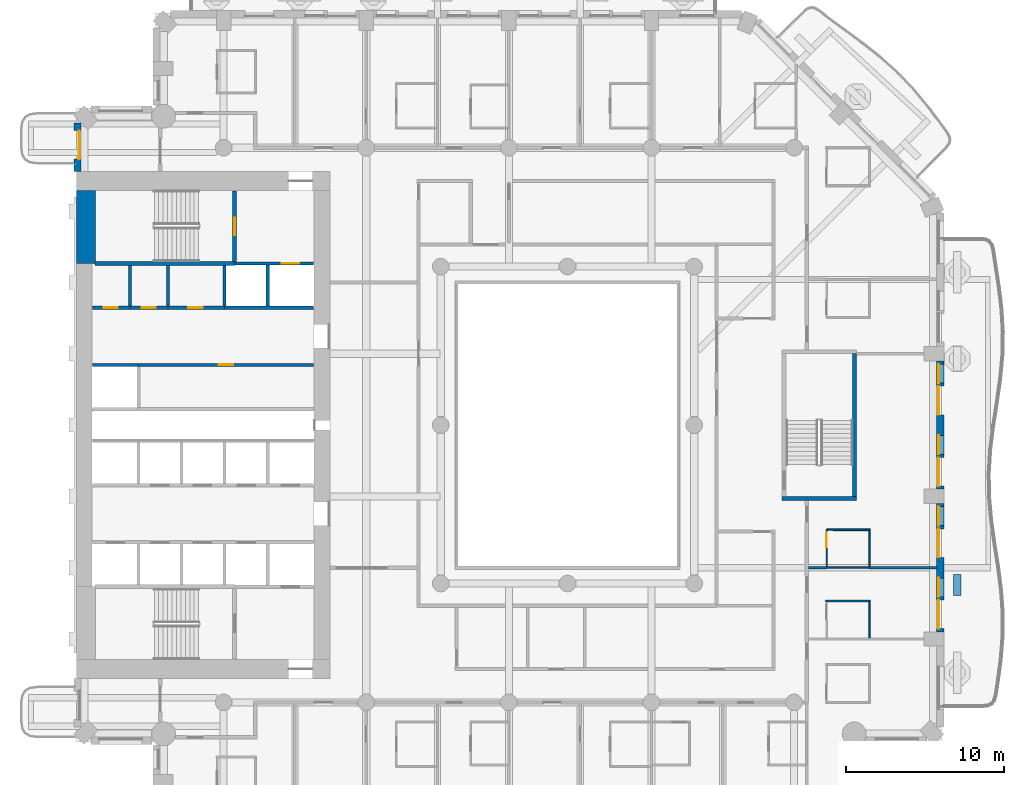
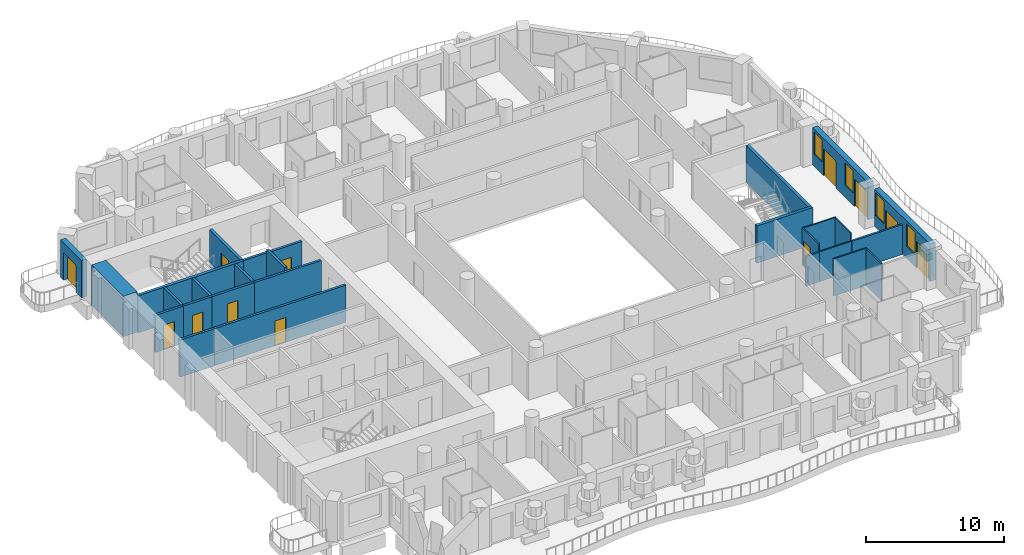
# One storey, part 7 of 20: 28 walls, 12 doors, 4 windows, 16 openings.
"""IFC4 building model written with IfcOpenShell, lengths in metres."""

from ifc_helpers import new_model, si_unit, direction, frame, frame_2d, origin, place, context, subcontext, project, spatial, rectangle, extrude, material, layer, layer_set, type_object, element, fill, save


model = new_model("IFC4")

# Units and contexts
model_context = context("Model", 3, precision=1e-05, world=origin(), true_north=direction((0.0, 1.0)))
body_context = subcontext(model_context, "Body", "Model", "MODEL_VIEW")
ifc_project = project(units=[si_unit("LENGTHUNIT", "METRE"), si_unit("AREAUNIT", "SQUARE_METRE"), si_unit("VOLUMEUNIT", "CUBIC_METRE"), si_unit("PLANEANGLEUNIT", "RADIAN"), si_unit("MASSUNIT", "GRAM", prefix="KILO")], contexts=[model_context])

# Site, building, storey
site_placement = place(None, origin())
site = spatial("IfcSite", under=ifc_project, at=site_placement, CompositionType="ELEMENT")
building_placement = place(site_placement, origin())
building = spatial("IfcBuilding", under=site, at=building_placement, Name="Cypress Arch Tower", CompositionType="ELEMENT")
storey_placement = place(building_placement, frame((0.0, 0.0, 113.10009765625)))
storey = spatial("IfcBuildingStorey", under=building, at=storey_placement, Name="L23", CompositionType="ELEMENT", Elevation=113.10009765625)

# Wall
ifc_material_1 = material(Name="Concrete C40/50, waterproofed", Category="concrete")
ifc_layer_1 = layer(ifc_material_1, 0.449951171875)
ifc_layer_set_1 = layer_set([ifc_layer_1], Name="Balcony planter wall PW450")
wall_type_1 = type_object("IfcWallType", Name="Balcony planter wall PW450", PredefinedType="SOLIDWALL", material=ifc_layer_set_1)
wall_1_placement = place(storey_placement, frame((25.60009765625, -10.75, 0.0), z_axis=(0.0, 0.0, 1.0), x_axis=(0.0, 1.0, 0.0)))
element("IfcWall", 1, at=wall_1_placement, inside=storey, type_object=wall_type_1, Name="Balcony planter wall L23-A06.2", PredefinedType="SOLIDWALL", context=body_context, shape_type="SweptSolid", body=[
    extrude(rectangle(XDim=1.32861328125, YDim=0.449951171875, at=frame_2d((0.664306640625, 0.0))), origin(), (0.0, 0.0, 1.0), 0.599853515625),
])

# Wall, opening, door
ifc_material_2 = material(Name="Brick (red buff blend)", Category="masonry")
ifc_layer_2 = layer(ifc_material_2, 0.449951171875)
ifc_layer_set_2 = layer_set([ifc_layer_2], Name="Brick pier and spandrel wall BW450")
wall_type_2 = type_object("IfcWallType", Name="Brick pier and spandrel wall BW450", PredefinedType="SOLIDWALL", material=ifc_layer_set_2)
wall_2_placement = place(storey_placement, frame((-29.925048828125, 19.063720703125, 0.0), z_axis=(0.0, 0.0, 1.0), x_axis=(0.0, -1.0, 0.0)))
wall_2 = element("IfcWall", 2, at=wall_2_placement, inside=storey, type_object=wall_type_2, Name="Brick wall L23 A00.0", PredefinedType="SOLIDWALL", context=body_context, shape_type="SweptSolid", body=[
    extrude(rectangle(XDim=3.063720703125, YDim=0.449951171875, at=frame_2d((1.53173828125, 0.0))), origin(), (0.0, 0.0, 1.0), 3.2998046875),
])
opening_1_placement = place(wall_2_placement, frame((0.481689453125, 0.0, 0.0)))
opening_1 = element("IfcOpeningElement", 3, at=opening_1_placement, cuts=wall_2, Name="Opening D-L23-A00.0.1", PredefinedType="OPENING", context=body_context, shape_type="SweptSolid", body=[
    extrude(rectangle(XDim=1.800048828125, YDim=2.39990234375, at=frame_2d((0.89990234375, 1.199951171875))), frame((0.0, 0.23486328125, 0.0), z_axis=(0.0, -1.0, 0.0), x_axis=(1.0, 0.0, 0.0)), (0.0, 0.0, 1.0), 0.469970703125),
])
ifc_material_3 = material(Name="Anodised aluminium, bronze finish, laminated low-emissivity double glazing, large-missile impact rated", Category="aluminium")
door_type_1 = type_object("IfcDoorType", Name="Balcony sliding door 1800x2400", OperationType="SLIDING_TO_LEFT", PredefinedType="DOOR", material=ifc_material_3)
door_1_placement = place(opening_1_placement, origin())
door_1 = element("IfcDoor", 4, at=door_1_placement, inside=storey, type_object=door_type_1, Name="Balcony door L23 A00.0.1", OperationType="SLIDING_TO_LEFT", OverallHeight=2.39990234375, OverallWidth=1.800048828125, PredefinedType="DOOR", context=body_context, shape_type="SweptSolid", body=[
    extrude(rectangle(XDim=1.800048828125, YDim=2.39990234375, at=frame_2d((0.89990234375, 1.199951171875))), frame((0.0, 0.1298828125, 0.0), z_axis=(0.0, -1.0, 0.0), x_axis=(1.0, 0.0, 0.0)), (0.0, 0.0, 1.0), 0.050048828125),
])
fill(opening_1, door_1)

# Wall, openings, doors, windows
wall_3_placement = place(storey_placement, frame((24.52490234375, -13.050048828125, 0.0), z_axis=(0.0, 0.0, 1.0), x_axis=(0.0, 1.0, 0.0)))
wall_3 = element("IfcWall", 5, at=wall_3_placement, inside=storey, type_object=wall_type_2, Name="Brick wall L23 A06.1", PredefinedType="SOLIDWALL", context=body_context, shape_type="SweptSolid", body=[
    extrude(rectangle(XDim=8.10009765625, YDim=0.449951171875, at=frame_2d((4.050048828125, 0.0))), origin(), (0.0, 0.0, 1.0), 3.2998046875),
])
opening_2_placement = place(wall_3_placement, frame((0.199951171875, 0.0, 0.0)))
opening_2 = element("IfcOpeningElement", 6, at=opening_2_placement, cuts=wall_3, Name="Opening D-L23-A06.1.1", PredefinedType="OPENING", context=body_context, shape_type="SweptSolid", body=[
    extrude(rectangle(XDim=1.800048828125, YDim=2.39990234375, at=frame_2d((0.89990234375, 1.199951171875))), frame((0.0, 0.23486328125, 0.0), z_axis=(0.0, -1.0, 0.0), x_axis=(1.0, 0.0, 0.0)), (0.0, 0.0, 1.0), 0.469970703125),
])
opening_3_placement = place(wall_3_placement, frame((2.199951171875, 0.0, 1.050048828125)))
opening_3 = element("IfcOpeningElement", 7, at=opening_3_placement, cuts=wall_3, Name="Opening W120HD", PredefinedType="OPENING", context=body_context, shape_type="SweptSolid", body=[
    extrude(rectangle(XDim=1.199951171875, YDim=2.0, at=frame_2d((0.60009765625, 1.0))), frame((0.0, 0.23486328125, 0.0), z_axis=(0.0, -1.0, 0.0), x_axis=(1.0, 0.0, 0.0)), (0.0, 0.0, 1.0), 0.469970703125),
])
opening_4_placement = place(wall_3_placement, frame((4.699951171875, 0.0, 0.0)))
opening_4 = element("IfcOpeningElement", 8, at=opening_4_placement, cuts=wall_3, Name="Opening D-L23-A06.1.2", PredefinedType="OPENING", context=body_context, shape_type="SweptSolid", body=[
    extrude(rectangle(XDim=1.800048828125, YDim=2.39990234375, at=frame_2d((0.89990234375, 1.199951171875))), frame((0.0, 0.23486328125, 0.0), z_axis=(0.0, -1.0, 0.0), x_axis=(1.0, 0.0, 0.0)), (0.0, 0.0, 1.0), 0.469970703125),
])
opening_5_placement = place(wall_3_placement, frame((6.699951171875, 0.0, 1.050048828125)))
opening_5 = element("IfcOpeningElement", 9, at=opening_5_placement, cuts=wall_3, Name="Opening W120HD", PredefinedType="OPENING", context=body_context, shape_type="SweptSolid", body=[
    extrude(rectangle(XDim=1.199951171875, YDim=2.0, at=frame_2d((0.60009765625, 1.0))), frame((0.0, 0.23486328125, 0.0), z_axis=(0.0, -1.0, 0.0), x_axis=(1.0, 0.0, 0.0)), (0.0, 0.0, 1.0), 0.469970703125),
])
door_2_placement = place(opening_2_placement, origin())
door_2 = element("IfcDoor", 10, at=door_2_placement, inside=storey, type_object=door_type_1, Name="Balcony door L23 A06.1.1", OperationType="SLIDING_TO_LEFT", OverallHeight=2.39990234375, OverallWidth=1.800048828125, PredefinedType="DOOR", context=body_context, shape_type="SweptSolid", body=[
    extrude(rectangle(XDim=1.800048828125, YDim=2.39990234375, at=frame_2d((0.89990234375, 1.199951171875))), frame((0.0, 0.1298828125, 0.0), z_axis=(0.0, -1.0, 0.0), x_axis=(1.0, 0.0, 0.0)), (0.0, 0.0, 1.0), 0.050048828125),
])
fill(opening_2, door_2)
door_3_placement = place(opening_4_placement, origin())
door_3 = element("IfcDoor", 11, at=door_3_placement, inside=storey, type_object=door_type_1, Name="Balcony door L23 A06.1.2", OperationType="SLIDING_TO_LEFT", OverallHeight=2.39990234375, OverallWidth=1.800048828125, PredefinedType="DOOR", context=body_context, shape_type="SweptSolid", body=[
    extrude(rectangle(XDim=1.800048828125, YDim=2.39990234375, at=frame_2d((0.89990234375, 1.199951171875))), frame((0.0, 0.1298828125, 0.0), z_axis=(0.0, -1.0, 0.0), x_axis=(1.0, 0.0, 0.0)), (0.0, 0.0, 1.0), 0.050048828125),
])
fill(opening_4, door_3)
ifc_material_4 = material(Name="Anodised aluminium, bronze finish, laminated low-emissivity double glazing, large-missile impact rated", Category="aluminium")
window_type = type_object("IfcWindowType", Name="Window Hotel 1200x2000 debris-rated", PartitioningType="SINGLE_PANEL", PredefinedType="WINDOW", material=ifc_material_4)
window_1_placement = place(opening_3_placement, origin())
window_1 = element("IfcWindow", 12, at=window_1_placement, inside=storey, type_object=window_type, Name="Window L23 A06.1.1", OverallHeight=2.0, OverallWidth=1.199951171875, PartitioningType="SINGLE_PANEL", PredefinedType="WINDOW", context=body_context, shape_type="SweptSolid", body=[
    extrude(rectangle(XDim=1.199951171875, YDim=2.0, at=frame_2d((0.60009765625, 1.0))), frame((0.0, 0.135009765625, 0.0), z_axis=(0.0, -1.0, 0.0), x_axis=(1.0, 0.0, 0.0)), (0.0, 0.0, 1.0), 0.06005859375),
])
fill(opening_3, window_1)
window_2_placement = place(opening_5_placement, origin())
window_2 = element("IfcWindow", 13, at=window_2_placement, inside=storey, type_object=window_type, Name="Window L23 A06.1.2", OverallHeight=2.0, OverallWidth=1.199951171875, PartitioningType="SINGLE_PANEL", PredefinedType="WINDOW", context=body_context, shape_type="SweptSolid", body=[
    extrude(rectangle(XDim=1.199951171875, YDim=2.0, at=frame_2d((0.60009765625, 1.0))), frame((0.0, 0.135009765625, 0.0), z_axis=(0.0, -1.0, 0.0), x_axis=(1.0, 0.0, 0.0)), (0.0, 0.0, 1.0), 0.06005859375),
])
fill(opening_5, window_2)

wall_4_placement = place(storey_placement, frame((24.52490234375, -4.050048828125, 0.0), z_axis=(0.0, 0.0, 1.0), x_axis=(0.0, 1.0, 0.0)))
wall_4 = element("IfcWall", 14, at=wall_4_placement, inside=storey, type_object=wall_type_2, Name="Brick wall L23 A06.2", PredefinedType="SOLIDWALL", context=body_context, shape_type="SweptSolid", body=[
    extrude(rectangle(XDim=8.10009765625, YDim=0.449951171875, at=frame_2d((4.050048828125, 0.0))), origin(), (0.0, 0.0, 1.0), 3.2998046875),
])
opening_6_placement = place(wall_4_placement, frame((0.199951171875, 0.0, 0.0)))
opening_6 = element("IfcOpeningElement", 15, at=opening_6_placement, cuts=wall_4, Name="Opening D-L23-A06.2.1", PredefinedType="OPENING", context=body_context, shape_type="SweptSolid", body=[
    extrude(rectangle(XDim=1.800048828125, YDim=2.39990234375, at=frame_2d((0.89990234375, 1.199951171875))), frame((0.0, 0.23486328125, 0.0), z_axis=(0.0, -1.0, 0.0), x_axis=(1.0, 0.0, 0.0)), (0.0, 0.0, 1.0), 0.469970703125),
])
opening_7_placement = place(wall_4_placement, frame((2.199951171875, 0.0, 1.050048828125)))
opening_7 = element("IfcOpeningElement", 16, at=opening_7_placement, cuts=wall_4, Name="Opening W120HD", PredefinedType="OPENING", context=body_context, shape_type="SweptSolid", body=[
    extrude(rectangle(XDim=1.199951171875, YDim=2.0, at=frame_2d((0.60009765625, 1.0))), frame((0.0, 0.23486328125, 0.0), z_axis=(0.0, -1.0, 0.0), x_axis=(1.0, 0.0, 0.0)), (0.0, 0.0, 1.0), 0.469970703125),
])
opening_8_placement = place(wall_4_placement, frame((4.699951171875, 0.0, 0.0)))
opening_8 = element("IfcOpeningElement", 17, at=opening_8_placement, cuts=wall_4, Name="Opening D-L23-A06.2.2", PredefinedType="OPENING", context=body_context, shape_type="SweptSolid", body=[
    extrude(rectangle(XDim=1.800048828125, YDim=2.39990234375, at=frame_2d((0.89990234375, 1.199951171875))), frame((0.0, 0.23486328125, 0.0), z_axis=(0.0, -1.0, 0.0), x_axis=(1.0, 0.0, 0.0)), (0.0, 0.0, 1.0), 0.469970703125),
])
opening_9_placement = place(wall_4_placement, frame((6.699951171875, 0.0, 1.050048828125)))
opening_9 = element("IfcOpeningElement", 18, at=opening_9_placement, cuts=wall_4, Name="Opening W120HD", PredefinedType="OPENING", context=body_context, shape_type="SweptSolid", body=[
    extrude(rectangle(XDim=1.199951171875, YDim=2.0, at=frame_2d((0.60009765625, 1.0))), frame((0.0, 0.23486328125, 0.0), z_axis=(0.0, -1.0, 0.0), x_axis=(1.0, 0.0, 0.0)), (0.0, 0.0, 1.0), 0.469970703125),
])
door_4_placement = place(opening_6_placement, origin())
door_4 = element("IfcDoor", 19, at=door_4_placement, inside=storey, type_object=door_type_1, Name="Balcony door L23 A06.2.1", OperationType="SLIDING_TO_LEFT", OverallHeight=2.39990234375, OverallWidth=1.800048828125, PredefinedType="DOOR", context=body_context, shape_type="SweptSolid", body=[
    extrude(rectangle(XDim=1.800048828125, YDim=2.39990234375, at=frame_2d((0.89990234375, 1.199951171875))), frame((0.0, 0.1298828125, 0.0), z_axis=(0.0, -1.0, 0.0), x_axis=(1.0, 0.0, 0.0)), (0.0, 0.0, 1.0), 0.050048828125),
])
fill(opening_6, door_4)
door_5_placement = place(opening_8_placement, origin())
door_5 = element("IfcDoor", 20, at=door_5_placement, inside=storey, type_object=door_type_1, Name="Balcony door L23 A06.2.2", OperationType="SLIDING_TO_LEFT", OverallHeight=2.39990234375, OverallWidth=1.800048828125, PredefinedType="DOOR", context=body_context, shape_type="SweptSolid", body=[
    extrude(rectangle(XDim=1.800048828125, YDim=2.39990234375, at=frame_2d((0.89990234375, 1.199951171875))), frame((0.0, 0.1298828125, 0.0), z_axis=(0.0, -1.0, 0.0), x_axis=(1.0, 0.0, 0.0)), (0.0, 0.0, 1.0), 0.050048828125),
])
fill(opening_8, door_5)
window_3_placement = place(opening_7_placement, origin())
window_3 = element("IfcWindow", 21, at=window_3_placement, inside=storey, type_object=window_type, Name="Window L23 A06.2.1", OverallHeight=2.0, OverallWidth=1.199951171875, PartitioningType="SINGLE_PANEL", PredefinedType="WINDOW", context=body_context, shape_type="SweptSolid", body=[
    extrude(rectangle(XDim=1.199951171875, YDim=2.0, at=frame_2d((0.60009765625, 1.0))), frame((0.0, 0.135009765625, 0.0), z_axis=(0.0, -1.0, 0.0), x_axis=(1.0, 0.0, 0.0)), (0.0, 0.0, 1.0), 0.06005859375),
])
fill(opening_7, window_3)
window_4_placement = place(opening_9_placement, origin())
window_4 = element("IfcWindow", 22, at=window_4_placement, inside=storey, type_object=window_type, Name="Window L23 A06.2.2", OverallHeight=2.0, OverallWidth=1.199951171875, PartitioningType="SINGLE_PANEL", PredefinedType="WINDOW", context=body_context, shape_type="SweptSolid", body=[
    extrude(rectangle(XDim=1.199951171875, YDim=2.0, at=frame_2d((0.60009765625, 1.0))), frame((0.0, 0.135009765625, 0.0), z_axis=(0.0, -1.0, 0.0), x_axis=(1.0, 0.0, 0.0)), (0.0, 0.0, 1.0), 0.06005859375),
])
fill(opening_9, window_4)

# Wall
ifc_material_5 = material(Name="Concrete C80/95", Category="concrete")
ifc_layer_3 = layer(ifc_material_5, 1.199951171875)
ifc_layer_set_3 = layer_set([ifc_layer_3], Name="Core wall CW1200 C80/95")
wall_type_3 = type_object("IfcWallType", Name="Core wall CW1200 C80/95", PredefinedType="SHEAR", material=ifc_layer_set_3)
wall_5_placement = place(storey_placement, frame((-29.39990234375, 10.199951171875, 0.0), z_axis=(0.0, 0.0, 1.0), x_axis=(0.0, 1.0, 0.0)))
element("IfcWall", 23, at=wall_5_placement, inside=storey, type_object=wall_type_3, Name="Core wall", PredefinedType="SHEAR", context=body_context, shape_type="SweptSolid", body=[
    extrude(rectangle(XDim=4.60009765625, YDim=1.199951171875, at=frame_2d((2.300048828125, 0.0))), origin(), (0.0, 0.0, 1.0), 3.599853515625),
])

# Wall, opening, door
ifc_material_6 = material(Name="Concrete blockwork, plastered, rated", Category="masonry")
ifc_layer_4 = layer(ifc_material_6, 0.199951171875)
ifc_layer_set_4 = layer_set([ifc_layer_4], Name="Corridor wall FW200")
wall_type_4 = type_object("IfcWallType", Name="Corridor wall FW200", PredefinedType="PARTITIONING", material=ifc_layer_set_4)
wall_6_placement = place(storey_placement, frame((-28.969970703125, 7.39990234375, 0.0), z_axis=(0.0, 0.0, 1.0), x_axis=(1.0, 0.0, 0.0)))
wall_6 = element("IfcWall", 24, at=wall_6_placement, inside=storey, type_object=wall_type_4, Name="Corridor wall", PredefinedType="PARTITIONING", context=body_context, shape_type="SweptSolid", body=[
    extrude(rectangle(XDim=2.349853515625, YDim=0.199951171875, at=frame_2d((1.1748046875, 0.0))), origin(), (0.0, 0.0, 1.0), 3.2998046875),
])
opening_10_placement = place(wall_6_placement, frame((0.699951171875, 0.0, 0.0)))
opening_10 = element("IfcOpeningElement", 25, at=opening_10_placement, cuts=wall_6, Name="Opening D05", PredefinedType="OPENING", context=body_context, shape_type="SweptSolid", body=[
    extrude(rectangle(XDim=0.89990234375, YDim=2.199951171875, at=frame_2d((0.449951171875, 1.10009765625))), frame((0.0, 0.10986328125, 0.0), z_axis=(0.0, -1.0, 0.0), x_axis=(1.0, 0.0, 0.0)), (0.0, 0.0, 1.0), 0.219970703125),
])
ifc_material_7 = material(Name="Timber flush door", Category="wood")
door_type_2 = type_object("IfcDoorType", Name="Service door D05 900x2200", OperationType="SINGLE_SWING_LEFT", PredefinedType="DOOR", material=ifc_material_7)
door_6_placement = place(opening_10_placement, origin())
door_6 = element("IfcDoor", 26, at=door_6_placement, inside=storey, type_object=door_type_2, Name="Service door", OperationType="SINGLE_SWING_RIGHT", OverallHeight=2.199951171875, OverallWidth=0.89990234375, PredefinedType="DOOR", context=body_context, shape_type="SweptSolid", body=[
    extrude(rectangle(XDim=0.89990234375, YDim=2.199951171875, at=frame_2d((0.449951171875, 1.10009765625))), frame((0.0, 0.02490234375, 0.0), z_axis=(0.0, -1.0, 0.0), x_axis=(1.0, 0.0, 0.0)), (0.0, 0.0, 1.0), 0.050048828125),
])
fill(opening_10, door_6)

wall_7_placement = place(storey_placement, frame((-26.10009765625, 3.800048828125, 0.0), z_axis=(0.0, 0.0, 1.0), x_axis=(1.0, 0.0, 0.0)))
wall_7 = element("IfcWall", 27, at=wall_7_placement, inside=storey, type_object=wall_type_4, Name="Corridor wall", PredefinedType="PARTITIONING", context=body_context, shape_type="SweptSolid", body=[
    extrude(rectangle(XDim=11.070068359375, YDim=0.199951171875, at=frame_2d((5.53515625, 0.0))), origin(), (0.0, 0.0, 1.0), 3.2998046875),
])
opening_11_placement = place(wall_7_placement, frame((5.10009765625, 0.0, 0.0)))
opening_11 = element("IfcOpeningElement", 28, at=opening_11_placement, cuts=wall_7, Name="Opening D05", PredefinedType="OPENING", context=body_context, shape_type="SweptSolid", body=[
    extrude(rectangle(XDim=0.89990234375, YDim=2.199951171875, at=frame_2d((0.449951171875, 1.10009765625))), frame((0.0, 0.10986328125, 0.0), z_axis=(0.0, -1.0, 0.0), x_axis=(1.0, 0.0, 0.0)), (0.0, 0.0, 1.0), 0.219970703125),
])
door_7_placement = place(opening_11_placement, origin())
door_7 = element("IfcDoor", 29, at=door_7_placement, inside=storey, type_object=door_type_2, Name="Service door", OperationType="SINGLE_SWING_LEFT", OverallHeight=2.199951171875, OverallWidth=0.89990234375, PredefinedType="DOOR", context=body_context, shape_type="SweptSolid", body=[
    extrude(rectangle(XDim=0.89990234375, YDim=2.199951171875, at=frame_2d((0.449951171875, 1.10009765625))), frame((0.0, 0.02490234375, 0.0), z_axis=(0.0, -1.0, 0.0), x_axis=(1.0, 0.0, 0.0)), (0.0, 0.0, 1.0), 0.050048828125),
])
fill(opening_11, door_7)

wall_8_placement = place(storey_placement, frame((-24.219970703125, 7.39990234375, 0.0), z_axis=(0.0, 0.0, 1.0), x_axis=(1.0, 0.0, 0.0)))
wall_8 = element("IfcWall", 30, at=wall_8_placement, inside=storey, type_object=wall_type_4, Name="Corridor wall", PredefinedType="PARTITIONING", context=body_context, shape_type="SweptSolid", body=[
    extrude(rectangle(XDim=3.580078125, YDim=0.199951171875, at=frame_2d((1.7900390625, 0.0))), origin(), (0.0, 0.0, 1.0), 3.2998046875),
])
opening_12_placement = place(wall_8_placement, frame((1.300048828125, 0.0, 0.0)))
opening_12 = element("IfcOpeningElement", 31, at=opening_12_placement, cuts=wall_8, Name="Opening D05", PredefinedType="OPENING", context=body_context, shape_type="SweptSolid", body=[
    extrude(rectangle(XDim=0.89990234375, YDim=2.199951171875, at=frame_2d((0.449951171875, 1.10009765625))), frame((0.0, 0.10986328125, 0.0), z_axis=(0.0, -1.0, 0.0), x_axis=(1.0, 0.0, 0.0)), (0.0, 0.0, 1.0), 0.219970703125),
])
door_8_placement = place(opening_12_placement, origin())
door_8 = element("IfcDoor", 32, at=door_8_placement, inside=storey, type_object=door_type_2, Name="Service door", OperationType="SINGLE_SWING_LEFT", OverallHeight=2.199951171875, OverallWidth=0.89990234375, PredefinedType="DOOR", context=body_context, shape_type="SweptSolid", body=[
    extrude(rectangle(XDim=0.89990234375, YDim=2.199951171875, at=frame_2d((0.449951171875, 1.10009765625))), frame((0.0, 0.02490234375, 0.0), z_axis=(0.0, -1.0, 0.0), x_axis=(1.0, 0.0, 0.0)), (0.0, 0.0, 1.0), 0.050048828125),
])
fill(opening_12, door_8)

# Walls
ifc_material_8 = material(Name="Blockwork, plastered both sides", Category="masonry")
ifc_layer_5 = layer(ifc_material_8, 0.14990234375)
ifc_layer_set_5 = layer_set([ifc_layer_5], Name="Partition PW150")
wall_type_5 = type_object("IfcWallType", Name="Partition PW150", PredefinedType="PARTITIONING", material=ifc_layer_set_5)
wall_9_placement = place(storey_placement, frame((16.199951171875, -9.0, 0.0), z_axis=(0.0, 0.0, 1.0), x_axis=(1.0, 0.0, 0.0)))
element("IfcWall", 33, at=wall_9_placement, inside=storey, type_object=wall_type_5, Name="Partition", PredefinedType="PARTITIONING", context=body_context, shape_type="SweptSolid", body=[
    extrude(rectangle(XDim=1.130126953125, YDim=0.14990234375, at=frame_2d((0.56494140625, 0.0))), origin(), (0.0, 0.0, 1.0), 2.64990234375),
])
wall_10_placement = place(storey_placement, frame((20.030029296875, -9.0, 0.0), z_axis=(0.0, 0.0, 1.0), x_axis=(1.0, 0.0, 0.0)))
element("IfcWall", 34, at=wall_10_placement, inside=storey, type_object=wall_type_5, Name="Partition", PredefinedType="PARTITIONING", context=body_context, shape_type="SweptSolid", body=[
    extrude(rectangle(XDim=4.27001953125, YDim=0.14990234375, at=frame_2d((2.135009765625, 0.0))), origin(), (0.0, 0.0, 1.0), 2.64990234375),
])

# Wall, opening, door
ifc_material_9 = material(Name="Reinforced blockwork, plastered, rated", Category="masonry")
ifc_layer_6 = layer(ifc_material_9, 0.199951171875)
ifc_layer_set_6 = layer_set([ifc_layer_6], Name="Plant and riser wall PL200")
wall_type_6 = type_object("IfcWallType", Name="Plant and riser wall PL200", PredefinedType="PARTITIONING", material=ifc_layer_set_6)
wall_11_placement = place(storey_placement, frame((-26.6201171875, 7.39990234375, 0.0), z_axis=(0.0, 0.0, 1.0), x_axis=(1.0, 0.0, 0.0)))
wall_11 = element("IfcWall", 35, at=wall_11_placement, inside=storey, type_object=wall_type_6, Name="Plant and riser wall", PredefinedType="PARTITIONING", context=body_context, shape_type="SweptSolid", body=[
    extrude(rectangle(XDim=2.400146484375, YDim=0.199951171875, at=frame_2d((1.2001953125, 0.0))), origin(), (0.0, 0.0, 1.0), 3.2998046875),
])
opening_13_placement = place(wall_11_placement, frame((0.75, 0.0, 0.0)))
opening_13 = element("IfcOpeningElement", 36, at=opening_13_placement, cuts=wall_11, Name="Opening D05", PredefinedType="OPENING", context=body_context, shape_type="SweptSolid", body=[
    extrude(rectangle(XDim=0.89990234375, YDim=2.199951171875, at=frame_2d((0.449951171875, 1.10009765625))), frame((0.0, 0.10986328125, 0.0), z_axis=(0.0, -1.0, 0.0), x_axis=(1.0, 0.0, 0.0)), (0.0, 0.0, 1.0), 0.219970703125),
])
door_9_placement = place(opening_13_placement, origin())
door_9 = element("IfcDoor", 37, at=door_9_placement, inside=storey, type_object=door_type_2, Name="Service door", OperationType="SINGLE_SWING_LEFT", OverallHeight=2.199951171875, OverallWidth=0.89990234375, PredefinedType="DOOR", context=body_context, shape_type="SweptSolid", body=[
    extrude(rectangle(XDim=0.89990234375, YDim=2.199951171875, at=frame_2d((0.449951171875, 1.10009765625))), frame((0.0, 0.02490234375, 0.0), z_axis=(0.0, -1.0, 0.0), x_axis=(1.0, 0.0, 0.0)), (0.0, 0.0, 1.0), 0.050048828125),
])
fill(opening_13, door_9)

# Walls
for number, where, z_axis, x_axis, name in (
    (38, (-26.60009765625, 7.5, 0.0), (0.0, 0.0, 1.0), (0.0, 1.0, 0.0), "Plant and riser wall"),
    (39, (-24.199951171875, 7.5, 0.0), (0.0, 0.0, 1.0), (0.0, 1.0, 0.0), "Plant and riser wall"),
):
    element("IfcWall", number, at=place(storey_placement, frame(where, z_axis=z_axis, x_axis=x_axis)), inside=storey, type_object=wall_type_6, Name=name, PredefinedType="PARTITIONING", context=body_context, shape_type="SweptSolid", body=[
        extrude(rectangle(XDim=2.574951171875, YDim=0.199951171875, at=frame_2d((1.28759765625, 0.0))), origin(), (0.0, 0.0, 1.0), 3.2998046875),
    ])
ifc_material_10 = material(Name="Concrete C50/60", Category="concrete")
ifc_layer_7 = layer(ifc_material_10, 0.199951171875)
ifc_layer_set_7 = layer_set([ifc_layer_7], Name="Shaft wall SH200")
wall_type_7 = type_object("IfcWallType", Name="Shaft wall SH200", PredefinedType="SHEAR", material=ifc_layer_set_7)
wall_12_placement = place(storey_placement, frame((-28.969970703125, 3.800048828125, 0.0), z_axis=(0.0, 0.0, 1.0), x_axis=(1.0, 0.0, 0.0)))
element("IfcWall", 40, at=wall_12_placement, inside=storey, type_object=wall_type_7, Name="Shaft wall", PredefinedType="SHEAR", context=body_context, shape_type="SweptSolid", body=[
    extrude(rectangle(XDim=2.869873046875, YDim=0.199951171875, at=frame_2d((1.43505859375, 0.0))), origin(), (0.0, 0.0, 1.0), 3.2998046875),
])
wall_13_placement = place(storey_placement, frame((-20.639892578125, 7.5, 0.0), z_axis=(0.0, 0.0, 1.0), x_axis=(0.0, 1.0, 0.0)))
element("IfcWall", 41, at=wall_13_placement, inside=storey, type_object=wall_type_7, Name="Shaft wall", PredefinedType="SHEAR", context=body_context, shape_type="SweptSolid", body=[
    extrude(rectangle(XDim=2.574951171875, YDim=0.199951171875, at=frame_2d((1.28759765625, 0.0))), origin(), (0.0, 0.0, 1.0), 3.2998046875),
])
wall_14_placement = place(storey_placement, frame((-20.639892578125, 7.39990234375, 0.0), z_axis=(0.0, 0.0, 1.0), x_axis=(1.0, 0.0, 0.0)))
element("IfcWall", 42, at=wall_14_placement, inside=storey, type_object=wall_type_7, Name="Shaft wall", PredefinedType="SHEAR", context=body_context, shape_type="SweptSolid", body=[
    extrude(rectangle(XDim=5.60986328125, YDim=0.199951171875, at=frame_2d((2.804931640625, 0.0))), origin(), (0.0, 0.0, 1.0), 3.2998046875),
])

# Wall, opening, door
wall_15_placement = place(storey_placement, frame((-19.97998046875, 10.199951171875, 0.0), z_axis=(0.0, 0.0, 1.0), x_axis=(1.0, 0.0, 0.0)))
wall_15 = element("IfcWall", 43, at=wall_15_placement, inside=storey, type_object=wall_type_7, Name="Shaft wall", PredefinedType="SHEAR", context=body_context, shape_type="SweptSolid", body=[
    extrude(rectangle(XDim=4.949951171875, YDim=0.199951171875, at=frame_2d((2.47509765625, 0.0))), origin(), (0.0, 0.0, 1.0), 3.2998046875),
])
opening_14_placement = place(wall_15_placement, frame((2.949951171875, 0.0, 0.0)))
opening_14 = element("IfcOpeningElement", 44, at=opening_14_placement, cuts=wall_15, Name="Opening LD-FL2", PredefinedType="OPENING", context=body_context, shape_type="SweptSolid", body=[
    extrude(rectangle(XDim=1.10009765625, YDim=2.199951171875, at=frame_2d((0.550048828125, 1.10009765625))), frame((0.0, 0.10986328125, 0.0), z_axis=(0.0, -1.0, 0.0), x_axis=(1.0, 0.0, 0.0)), (0.0, 0.0, 1.0), 0.219970703125),
])
ifc_material_11 = material(Name="Stainless steel centre-opening landing door, rated", Category="steel")
door_type_3 = type_object("IfcDoorType", Name="Lift landing door LD 1100x2200", OperationType="DOUBLE_DOOR_SLIDING", PredefinedType="DOOR", material=ifc_material_11)
door_10_placement = place(opening_14_placement, origin())
door_10 = element("IfcDoor", 45, at=door_10_placement, inside=storey, type_object=door_type_3, Name="Lift landing doors FL2", OperationType="DOUBLE_DOOR_SLIDING", OverallHeight=2.199951171875, OverallWidth=1.10009765625, PredefinedType="DOOR", context=body_context, shape_type="SweptSolid", body=[
    extrude(rectangle(XDim=1.10009765625, YDim=2.199951171875, at=frame_2d((0.550048828125, 1.10009765625))), frame((0.0, 0.02490234375, 0.0), z_axis=(0.0, -1.0, 0.0), x_axis=(1.0, 0.0, 0.0)), (0.0, 0.0, 1.0), 0.050048828125),
])
fill(opening_14, door_10)

# Walls
wall_16_placement = place(storey_placement, frame((-17.919921875, 7.5, 0.0), z_axis=(0.0, 0.0, 1.0), x_axis=(0.0, 1.0, 0.0)))
element("IfcWall", 46, at=wall_16_placement, inside=storey, type_object=wall_type_7, Name="Shaft wall", PredefinedType="SHEAR", context=body_context, shape_type="SweptSolid", body=[
    extrude(rectangle(XDim=2.60009765625, YDim=0.199951171875, at=frame_2d((1.300048828125, 0.0))), origin(), (0.0, 0.0, 1.0), 3.599853515625),
])
ifc_material_12 = material(Name="Concrete C50/60", Category="concrete")
ifc_layer_8 = layer(ifc_material_12, 0.25)
ifc_layer_set_8 = layer_set([ifc_layer_8], Name="Stair enclosure wall SW250")
wall_type_8 = type_object("IfcWallType", Name="Stair enclosure wall SW250", PredefinedType="SHEAR", material=ifc_layer_set_8)
wall_17_placement = place(storey_placement, frame((-28.81005859375, 10.199951171875, 0.0), z_axis=(0.0, 0.0, 1.0), x_axis=(1.0, 0.0, 0.0)))
element("IfcWall", 47, at=wall_17_placement, inside=storey, type_object=wall_type_8, Name="Stair enclosure wall", PredefinedType="SHEAR", context=body_context, shape_type="SweptSolid", body=[
    extrude(rectangle(XDim=8.830078125, YDim=0.25, at=frame_2d((4.4150390625, 0.0))), origin(), (0.0, 0.0, 1.0), 3.2998046875),
])

# Wall, opening, door
wall_18_placement = place(storey_placement, frame((-20.0, 10.324951171875, 0.0), z_axis=(0.0, 0.0, 1.0), x_axis=(0.0, 1.0, 0.0)))
wall_18 = element("IfcWall", 48, at=wall_18_placement, inside=storey, type_object=wall_type_8, Name="Stair enclosure wall", PredefinedType="SHEAR", context=body_context, shape_type="SweptSolid", body=[
    extrude(rectangle(XDim=4.445068359375, YDim=0.25, at=frame_2d((2.22265625, 0.0))), origin(), (0.0, 0.0, 1.0), 3.2998046875),
])
opening_15_placement = place(wall_18_placement, frame((1.64990234375, 0.0, 0.0)))
opening_15 = element("IfcOpeningElement", 49, at=opening_15_placement, cuts=wall_18, Name="Opening D06", PredefinedType="OPENING", context=body_context, shape_type="SweptSolid", body=[
    extrude(rectangle(XDim=1.10009765625, YDim=2.199951171875, at=frame_2d((0.550048828125, 1.10009765625))), frame((0.0, 0.135009765625, 0.0), z_axis=(0.0, -1.0, 0.0), x_axis=(1.0, 0.0, 0.0)), (0.0, 0.0, 1.0), 0.27001953125),
])
ifc_material_13 = material(Name="Steel door, fire resisting, panic bar", Category="steel")
door_type_4 = type_object("IfcDoorType", Name="Stair door D06 1100x2200", OperationType="SINGLE_SWING_LEFT", PredefinedType="DOOR", material=ifc_material_13)
door_11_placement = place(opening_15_placement, origin())
door_11 = element("IfcDoor", 50, at=door_11_placement, inside=storey, type_object=door_type_4, Name="Stair door", OperationType="SINGLE_SWING_LEFT", OverallHeight=2.199951171875, OverallWidth=1.10009765625, PredefinedType="DOOR", context=body_context, shape_type="SweptSolid", body=[
    extrude(rectangle(XDim=1.10009765625, YDim=2.199951171875, at=frame_2d((0.550048828125, 1.10009765625))), frame((0.0, 0.02490234375, 0.0), z_axis=(0.0, -1.0, 0.0), x_axis=(1.0, 0.0, 0.0)), (0.0, 0.0, 1.0), 0.050048828125),
])
fill(opening_15, door_11)

# Walls
wall_19_placement = place(storey_placement, frame((14.550048828125, -4.625, 0.0), z_axis=(0.0, 0.0, 1.0), x_axis=(1.0, 0.0, 0.0)))
element("IfcWall", 51, at=wall_19_placement, inside=storey, type_object=wall_type_8, Name="Stair enclosure wall", PredefinedType="SHEAR", context=body_context, shape_type="SweptSolid", body=[
    extrude(rectangle(XDim=4.699951171875, YDim=0.25, at=frame_2d((2.35009765625, 0.0))), origin(), (0.0, 0.0, 1.0), 3.2998046875),
])
wall_20_placement = place(storey_placement, frame((19.125, -4.5, 0.0), z_axis=(0.0, 0.0, 1.0), x_axis=(0.0, 1.0, 0.0)))
element("IfcWall", 52, at=wall_20_placement, inside=storey, type_object=wall_type_8, Name="Stair enclosure wall", PredefinedType="SHEAR", context=body_context, shape_type="SweptSolid", body=[
    extrude(rectangle(XDim=9.0, YDim=0.25, at=frame_2d((4.5, 0.0))), origin(), (0.0, 0.0, 1.0), 3.2998046875),
])
ifc_material_14 = material(Name="Moisture resistant board on steel studs, tiled", Category="steel")
ifc_layer_9 = layer(ifc_material_14, 0.10009765625)
ifc_layer_set_9 = layer_set([ifc_layer_9], Name="Wet wall PW100")
wall_type_9 = type_object("IfcWallType", Name="Wet wall PW100", PredefinedType="PARTITIONING", material=ifc_layer_set_9)
wall_21_placement = place(storey_placement, frame((17.330078125, -9.0, 0.0), z_axis=(0.0, 0.0, 1.0), x_axis=(1.0, 0.0, 0.0)))
element("IfcWall", 53, at=wall_21_placement, inside=storey, type_object=wall_type_9, Name="Wet wall", PredefinedType="PARTITIONING", context=body_context, shape_type="SweptSolid", body=[
    extrude(rectangle(XDim=2.699951171875, YDim=0.10009765625, at=frame_2d((1.35009765625, 0.0))), origin(), (0.0, 0.0, 1.0), 2.64990234375),
])
wall_22_placement = place(storey_placement, frame((17.300048828125, -11.10400390625, 0.0), z_axis=(0.0, 0.0, 1.0), x_axis=(1.0, 0.0, 0.0)))
element("IfcWall", 54, at=wall_22_placement, inside=storey, type_object=wall_type_9, Name="Wet wall", PredefinedType="PARTITIONING", context=body_context, shape_type="SweptSolid", body=[
    extrude(rectangle(XDim=2.800048828125, YDim=0.10009765625, at=frame_2d((1.39990234375, 0.0))), origin(), (0.0, 0.0, 1.0), 3.2998046875),
])

# Wall, opening, door
wall_23_placement = place(storey_placement, frame((17.35009765625, -8.949951171875, 0.0), z_axis=(0.0, 0.0, 1.0), x_axis=(0.000407580973, 0.999999916939, 0.0)))
wall_23 = element("IfcWall", 55, at=wall_23_placement, inside=storey, type_object=wall_type_9, Name="Wet wall", PredefinedType="PARTITIONING", context=body_context, shape_type="SweptSolid", body=[
    extrude(rectangle(XDim=2.39599609375, YDim=0.10009765625, at=frame_2d((1.197998046875, 0.0))), origin(), (0.0, 0.0, 1.0), 3.2998046875),
])
opening_16_placement = place(wall_23_placement, frame((1.25, 0.0, 0.0)))
opening_16 = element("IfcOpeningElement", 56, at=opening_16_placement, cuts=wall_23, Name="Opening D03", PredefinedType="OPENING", context=body_context, shape_type="SweptSolid", body=[
    extrude(rectangle(XDim=0.89990234375, YDim=2.199951171875, at=frame_2d((0.449951171875, 1.10009765625))), frame((0.0, 0.06005859375, 0.0), z_axis=(0.0, -1.0, 0.0), x_axis=(1.0, 0.0, 0.0)), (0.0, 0.0, 1.0), 0.1201171875),
])
ifc_material_15 = material(Name="Timber flush door, moisture resistant", Category="wood")
door_type_5 = type_object("IfcDoorType", Name="Bathroom door D03 900x2200", OperationType="SINGLE_SWING_LEFT", PredefinedType="DOOR", material=ifc_material_15)
door_12_placement = place(opening_16_placement, origin())
door_12 = element("IfcDoor", 57, at=door_12_placement, inside=storey, type_object=door_type_5, Name="Bathroom door", OperationType="SINGLE_SWING_LEFT", OverallHeight=2.199951171875, OverallWidth=0.89990234375, PredefinedType="DOOR", context=body_context, shape_type="SweptSolid", body=[
    extrude(rectangle(XDim=0.89990234375, YDim=2.199951171875, at=frame_2d((0.449951171875, 1.10009765625))), frame((0.0, 0.02490234375, 0.0), z_axis=(0.0, -1.0, 0.0), x_axis=(1.0, 0.0, 0.0)), (0.0, 0.0, 1.0), 0.050048828125),
])
fill(opening_16, door_12)

# Walls
wall_24_placement = place(storey_placement, frame((17.40087890625, -6.60400390625, 0.0), z_axis=(0.0, 0.0, 1.0), x_axis=(0.9999999346, -0.000361663629, 0.0)))
element("IfcWall", 58, at=wall_24_placement, inside=storey, type_object=wall_type_9, Name="Wet wall", PredefinedType="PARTITIONING", context=body_context, shape_type="SweptSolid", body=[
    extrude(rectangle(XDim=2.7001953125, YDim=0.10009765625, at=frame_2d((1.35009765625, 0.0))), origin(), (0.0, 0.0, 1.0), 3.2998046875),
])
wall_25_placement = place(storey_placement, frame((20.050048828125, -13.425048828125, 0.0), z_axis=(0.0, 0.0, 1.0), x_axis=(0.0, 1.0, 0.0)))
element("IfcWall", 59, at=wall_25_placement, inside=storey, type_object=wall_type_9, Name="Wet wall", PredefinedType="PARTITIONING", context=body_context, shape_type="SweptSolid", body=[
    extrude(rectangle(XDim=2.27099609375, YDim=0.10009765625, at=frame_2d((1.135498046875, 0.0))), origin(), (0.0, 0.0, 1.0), 3.2998046875),
])
wall_26_placement = place(storey_placement, frame((20.050048828125, -8.925048828125, 0.0), z_axis=(0.0, 0.0, 1.0), x_axis=(0.000430200003, 0.999999907464, 0.0)))
element("IfcWall", 60, at=wall_26_placement, inside=storey, type_object=wall_type_9, Name="Wet wall", PredefinedType="PARTITIONING", context=body_context, shape_type="SweptSolid", body=[
    extrude(rectangle(XDim=2.27001953125, YDim=0.10009765625, at=frame_2d((1.135009765625, 0.0))), origin(), (0.0, 0.0, 1.0), 3.2998046875),
])

save(model, "model.ifc")
